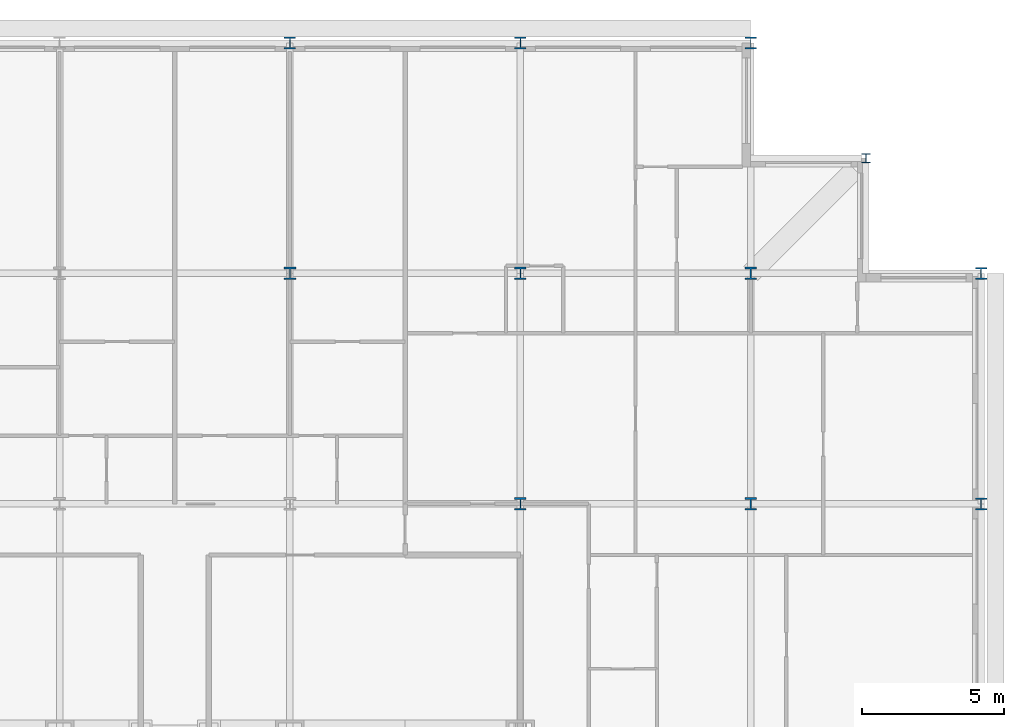
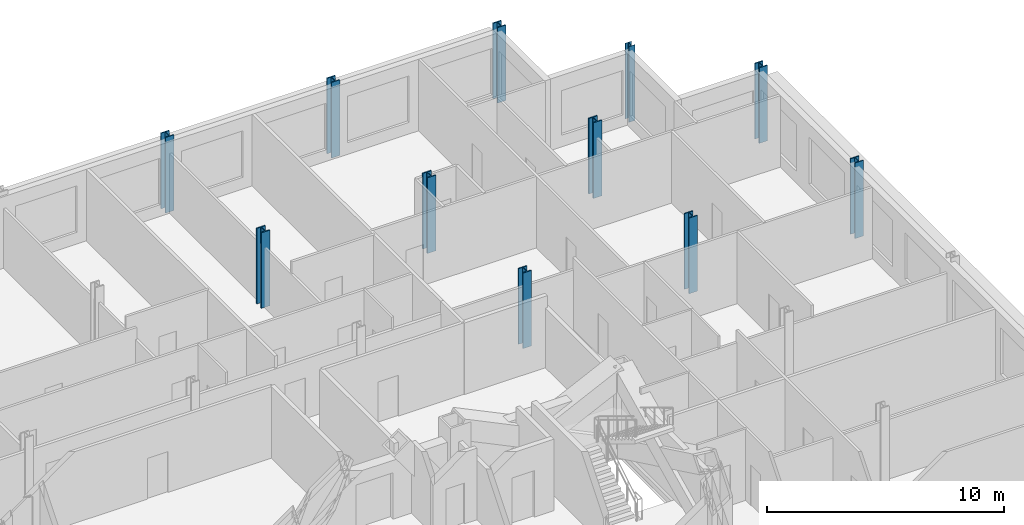
# One storey, part 4 of 15: 11 columns.
"""IFC4 building model written with IfcOpenShell, lengths in metres."""

import ifcopenshell
import ifcopenshell.guid

model = None  # the IFC model being written
_history = None  # IfcOwnerHistory: only IFC2X3 demands one
_inside = {}  # id of a spatial element -> (the spatial element, [elements in it])
_under = {}  # id of a project, library or spatial element -> (it, [spatial elements below it])
_declared = {}  # id of a project -> (the project, [libraries it declares])
_typed = {}  # id of a type object -> (the type object, [elements of that type])
_made_of = {}  # id of a material, layer set ... -> (it, [elements and type objects made of it])


def new_model(schema):
    """Start an empty IFC model of exactly this schema.

    Asked for "IFC4X3", IfcOpenShell would pick the latest addendum, in which some entities
    have other attributes; the version numbers below select the first issue.
    IFC2X3 requires an IfcOwnerHistory on every rooted entity: one is made here for all.
    """
    global model, _history
    if schema == "IFC4X3":
        model = ifcopenshell.file(schema_version=(4, 3, 0, 0))
    else:
        model = ifcopenshell.file(schema=schema)
    _inside.clear()
    _under.clear()
    _declared.clear()
    _typed.clear()
    _made_of.clear()
    _history = None
    if model.schema == "IFC2X3":
        org = make("IfcOrganization", Name="unknown")
        user = make(
            "IfcPersonAndOrganization",
            ThePerson=make("IfcPerson", FamilyName="unknown"),
            TheOrganization=org,
        )
        app = make(
            "IfcApplication",
            ApplicationDeveloper=org,
            Version="unknown",
            ApplicationFullName="unknown",
            ApplicationIdentifier="unknown",
        )
        _history = make(
            "IfcOwnerHistory",
            OwningUser=user,
            OwningApplication=app,
            ChangeAction="ADDED",
            CreationDate=0,
        )
    return model


def make(cls, **values):
    """One entity of the class cls with the attributes given. An attribute that is None is left unset."""
    return model.create_entity(
        cls, **{name: value for name, value in values.items() if value is not None}
    )


def rooted(cls, **values):
    """An entity with a GlobalId (a new one), such as an element, a storey or a relation."""
    return make(cls, GlobalId=ifcopenshell.guid.new(), OwnerHistory=_history, **values)


def si_unit(unit_type, name, prefix=None):
    """IfcSIUnit, for example si_unit("LENGTHUNIT", "METRE", prefix="MILLI")."""
    return make("IfcSIUnit", UnitType=unit_type, Prefix=prefix, Name=name)


def assignment(units):
    """IfcUnitAssignment: the units of a project."""
    return None if units is None else make("IfcUnitAssignment", Units=units)


def point(xyz):
    """IfcCartesianPoint."""
    return None if xyz is None else make("IfcCartesianPoint", Coordinates=xyz)


def direction(xyz):
    """IfcDirection."""
    return None if xyz is None else make("IfcDirection", DirectionRatios=xyz)


def frame(location, z_axis=None, x_axis=None):
    """IfcAxis2Placement3D, a coordinate frame: its origin and axes. An axis left out is left unset."""
    return make(
        "IfcAxis2Placement3D",
        Location=point(location),
        Axis=direction(z_axis),
        RefDirection=direction(x_axis),
    )


def frame_2d(location, x_axis=None):
    """IfcAxis2Placement2D, a coordinate frame in the plane: its origin and x axis."""
    return make(
        "IfcAxis2Placement2D", Location=point(location), RefDirection=direction(x_axis)
    )


def origin():
    """The frame at (0, 0, 0) with its axes left unset."""
    return frame((0.0, 0.0, 0.0))


def origin_2d():
    """The frame at (0, 0) in the plane with its x axis left unset."""
    return frame_2d((0.0, 0.0))


def place(relative_to, where):
    """IfcLocalPlacement: puts the frame where relative to a parent placement (None: the world)."""
    return make(
        "IfcLocalPlacement", PlacementRelTo=relative_to, RelativePlacement=where
    )


def context(
    kind, dimensions, precision=None, world=None, true_north=None, identifier=None
):
    """IfcGeometricRepresentationContext, for example the 3D "Model" context."""
    return make(
        "IfcGeometricRepresentationContext",
        ContextIdentifier=identifier,
        ContextType=kind,
        CoordinateSpaceDimension=dimensions,
        Precision=precision,
        WorldCoordinateSystem=world,
        TrueNorth=true_north,
    )


def subcontext(parent, identifier, kind, view, scale=None):
    """IfcGeometricRepresentationSubContext, for example "Body" below "Model"."""
    return make(
        "IfcGeometricRepresentationSubContext",
        ContextIdentifier=identifier,
        ContextType=kind,
        ParentContext=parent,
        TargetScale=scale,
        TargetView=view,
    )


def project(units=None, contexts=None):
    """IfcProject with its units and contexts."""
    return rooted(
        "IfcProject",
        Name="project",
        RepresentationContexts=contexts,
        UnitsInContext=assignment(units),
    )


def spatial(cls, under=None, at=None, **own):
    """A site, building, storey or space (cls), placed at a placement, below another one or the project."""
    s = rooted(cls, ObjectPlacement=at, **own)
    if under is not None:
        _under.setdefault(under.id(), (under, []))[1].append(s)
    return s


def profile(cls, at=None, kind="AREA", **sizes):
    """A parametric profile (cls). Its sizes go by their IFC names, for example OverallWidth=200.0."""
    return make(cls, ProfileType=kind, Position=at, **sizes)


def i_section(**sizes):
    """IfcIShapeProfileDef."""
    return profile("IfcIShapeProfileDef", **sizes)


def extrude(swept, where, along, depth):
    """IfcExtrudedAreaSolid: the profile swept, set in the frame where, extruded along a direction by depth."""
    return make(
        "IfcExtrudedAreaSolid",
        SweptArea=swept,
        Position=where,
        ExtrudedDirection=direction(along),
        Depth=depth,
    )


def shape(context_of_items, identifier, shape_type, items):
    """IfcShapeRepresentation: the items that make up one representation, for example the "Body"."""
    return make(
        "IfcShapeRepresentation",
        ContextOfItems=context_of_items,
        RepresentationIdentifier=identifier,
        RepresentationType=shape_type,
        Items=items,
    )


def material(Name=None, Category=None):
    """IfcMaterial."""
    return make("IfcMaterial", Name=Name, Category=Category)


def material_profile(
    of_material, cross_section, Name=None, Category=None, Priority=None
):
    """IfcMaterialProfile: a cross section and its material."""
    return make(
        "IfcMaterialProfile",
        Name=Name,
        Material=of_material,
        Profile=cross_section,
        Priority=Priority,
        Category=Category,
    )


def profile_set(profiles, Name=None, composite=None):
    """IfcMaterialProfileSet."""
    return make(
        "IfcMaterialProfileSet",
        Name=Name,
        MaterialProfiles=profiles,
        CompositeProfile=composite,
    )


def made_of(thing, what):
    """Note that an element or type object is made of a material, layer set ...; save() writes the relation."""
    if what is not None:
        _made_of.setdefault(what.id(), (what, []))[1].append(thing)
    return thing


def type_object(cls, material=None, **own):
    """A type object (cls), such as IfcWallType, which elements share."""
    return made_of(rooted(cls, **own), material)


def element(
    cls,
    number,
    at=None,
    inside=None,
    cuts=None,
    type_object=None,
    material=None,
    context=None,
    identifier="Body",
    shape_type=None,
    held_by="IfcProductDefinitionShape",
    body=None,
    shapes=None,
    **own,
):
    """One element of the class cls, such as IfcWall. Its Tag is "e" and its number.

    at: its placement. inside: the storey or other place that contains it. cuts: it is an
    opening in that element (IfcRelVoidsElement). A single representation is given by context,
    identifier, shape_type and body (its items); several are given by shapes. held_by: the class
    of the entity that holds the representations. save() writes the other relations.
    """
    e = rooted(cls, Tag="e%d" % number, ObjectPlacement=at, **own)
    if body is not None:
        shapes = [shape(context, identifier, shape_type, body)]
    if shapes is not None:
        e.Representation = make(held_by, Representations=shapes)
    if inside is not None:
        _inside.setdefault(inside.id(), (inside, []))[1].append(e)
    if cuts is not None:
        rooted(
            "IfcRelVoidsElement", RelatingBuildingElement=cuts, RelatedOpeningElement=e
        )
    if type_object is not None:
        _typed.setdefault(type_object.id(), (type_object, []))[1].append(e)
    return made_of(e, material)


def aggregate(whole, parts):
    """IfcRelAggregates: a whole, such as a stair, and the parts it consists of."""
    return rooted("IfcRelAggregates", RelatingObject=whole, RelatedObjects=parts)


def save(model, path):
    """Write the relations noted so far, then the file.

    IfcRelAggregates (storeys below a building ...), IfcRelContainedInSpatialStructure (elements
    in a storey), IfcRelDefinesByType, IfcRelAssociatesMaterial and IfcRelDeclares: one each for
    every whole, place, type object, material and project.
    """
    for whole, parts in _under.values():
        aggregate(whole, parts)
    for where, things in _inside.values():
        rooted(
            "IfcRelContainedInSpatialStructure",
            RelatedElements=things,
            RelatingStructure=where,
        )
    for kind, things in _typed.values():
        rooted("IfcRelDefinesByType", RelatedObjects=things, RelatingType=kind)
    for what, things in _made_of.values():
        rooted("IfcRelAssociatesMaterial", RelatedObjects=things, RelatingMaterial=what)
    for by, libraries in _declared.values():
        rooted("IfcRelDeclares", RelatingContext=by, RelatedDefinitions=libraries)
    model.write(path)


model = new_model("IFC4")

# Units and contexts
model_context = context("Model", 3, precision=1e-05, world=origin(), true_north=direction((0.0, 1.0)))
body_context = subcontext(model_context, "Body", "Model", "MODEL_VIEW")
ifc_project = project(units=[si_unit("LENGTHUNIT", "METRE"), si_unit("AREAUNIT", "SQUARE_METRE"), si_unit("VOLUMEUNIT", "CUBIC_METRE"), si_unit("PLANEANGLEUNIT", "RADIAN"), si_unit("MASSUNIT", "GRAM", prefix="KILO")], contexts=[model_context])

# Site, building, storey
site_placement = place(None, origin())
site = spatial("IfcSite", under=ifc_project, at=site_placement, CompositionType="ELEMENT")
building_placement = place(site_placement, origin())
building = spatial("IfcBuilding", under=site, at=building_placement, Name="Kopane Lantern Tower", CompositionType="ELEMENT")
storey_placement = place(building_placement, frame((0.0, 0.0, 285.300048828125)))
storey = spatial("IfcBuildingStorey", under=building, at=storey_placement, Name="L73", CompositionType="ELEMENT", Elevation=285.300048828125)

# Columns
ifc_material_1 = material(Name="Steel S355JR", Category="steel")
ifc_material_profile_1 = material_profile(ifc_material_1, i_section(OverallWidth=0.307373046875, OverallDepth=0.314453125, WebThickness=0.011962890625, FlangeThickness=0.018798828125, FilletRadius=0.01513671875, at=origin_2d()), Name="UC 305x305x118")
ifc_profile_set_1 = profile_set([ifc_material_profile_1], Name="Steel S355JR")
column_type_1 = type_object("IfcColumnType", Name="COLUMN UC 305x305x118", PredefinedType="COLUMN", material=ifc_profile_set_1)
column_placement = place(storey_placement, frame((52.64990234375, 60.75, 0.0), z_axis=(0.0, 0.0, 1.0), x_axis=(1.0, 0.0, 0.0)))
element("IfcColumn", 1, at=column_placement, inside=storey, type_object=column_type_1, Name="Column 52.65/60.75 L73", PredefinedType="COLUMN", context=body_context, shape_type="SweptSolid", body=[
    extrude(i_section(OverallWidth=0.307373046875, OverallDepth=0.314453125, WebThickness=0.011962890625, FlangeThickness=0.018798828125, FilletRadius=0.01513671875, at=origin_2d()), origin(), (0.0, 0.0, 1.0), 3.89990234375),
])
ifc_material_2 = material(Name="Steel S355JR", Category="steel")
ifc_material_profile_2 = material_profile(ifc_material_2, i_section(OverallWidth=0.406982421875, OverallDepth=0.4189453125, WebThickness=0.030517578125, FlangeThickness=0.04931640625, FilletRadius=0.01513671875, at=origin_2d()), Name="UC 356x406x393")
ifc_profile_set_2 = profile_set([ifc_material_profile_2], Name="Steel S355JR")
column_type_2 = type_object("IfcColumnType", Name="COLUMN UC 356x406x393", PredefinedType="COLUMN", material=ifc_profile_set_2)
for number, where, z_axis, x_axis, name in (
    (2, (32.39990234375, 64.800048828125, 0.0), (0.0, 0.0, 1.0), (1.0, 0.0, 0.0), "Column 6/K L73"),
    (3, (40.5, 64.800048828125, 0.0), (0.0, 0.0, 1.0), (1.0, 0.0, 0.0), "Column 7/K L73"),
    (4, (48.60009765625, 64.800048828125, 0.0), (0.0, 0.0, 1.0), (1.0, 0.0, 0.0), "Column 8/K L73"),
    (5, (56.699951171875, 48.60009765625, 0.0), (0.0, 0.0, 1.0), (1.0, 0.0, 0.0), "Column 9/H L73"),
    (6, (56.699951171875, 56.699951171875, 0.0), (0.0, 0.0, 1.0), (1.0, 0.0, 0.0), "Column 9/J L73"),
):
    element("IfcColumn", number, at=place(storey_placement, frame(where, z_axis=z_axis, x_axis=x_axis)), inside=storey, type_object=column_type_2, Name=name, PredefinedType="COLUMN", context=body_context, shape_type="SweptSolid", body=[
        extrude(i_section(OverallWidth=0.406982421875, OverallDepth=0.4189453125, WebThickness=0.030517578125, FlangeThickness=0.04931640625, FilletRadius=0.01513671875, at=origin_2d()), origin(), (0.0, 0.0, 1.0), 3.89990234375),
    ])
ifc_material_3 = material(Name="Steel S355JR", Category="steel")
ifc_material_profile_3 = material_profile(ifc_material_3, i_section(OverallWidth=0.412109375, OverallDepth=0.4365234375, WebThickness=0.035888671875, FlangeThickness=0.05810546875, FilletRadius=0.01513671875, at=origin_2d()), Name="UC 356x406x467")
ifc_profile_set_3 = profile_set([ifc_material_profile_3], Name="Steel S355JR")
column_type_3 = type_object("IfcColumnType", Name="COLUMN UC 356x406x467", PredefinedType="COLUMN", material=ifc_profile_set_3)
for number, where, z_axis, x_axis, name in (
    (7, (32.39990234375, 56.699951171875, 0.0), (0.0, 0.0, 1.0), (1.0, 0.0, 0.0), "Column 6/J L73"),
    (8, (40.5, 48.60009765625, 0.0), (0.0, 0.0, 1.0), (1.0, 0.0, 0.0), "Column 7/H L73"),
    (9, (40.5, 56.699951171875, 0.0), (0.0, 0.0, 1.0), (1.0, 0.0, 0.0), "Column 7/J L73"),
    (10, (48.60009765625, 48.60009765625, 0.0), (0.0, 0.0, 1.0), (1.0, 0.0, 0.0), "Column 8/H L73"),
    (11, (48.60009765625, 56.699951171875, 0.0), (0.0, 0.0, 1.0), (1.0, 0.0, 0.0), "Column 8/J L73"),
):
    element("IfcColumn", number, at=place(storey_placement, frame(where, z_axis=z_axis, x_axis=x_axis)), inside=storey, type_object=column_type_3, Name=name, PredefinedType="COLUMN", context=body_context, shape_type="SweptSolid", body=[
        extrude(i_section(OverallWidth=0.412109375, OverallDepth=0.4365234375, WebThickness=0.035888671875, FlangeThickness=0.05810546875, FilletRadius=0.01513671875, at=origin_2d()), origin(), (0.0, 0.0, 1.0), 3.89990234375),
    ])

save(model, "model.ifc")
